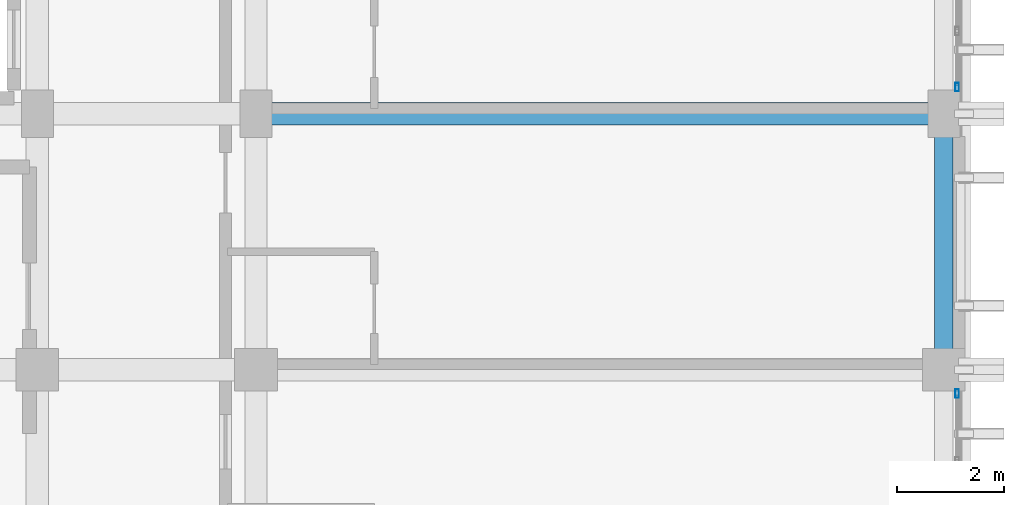
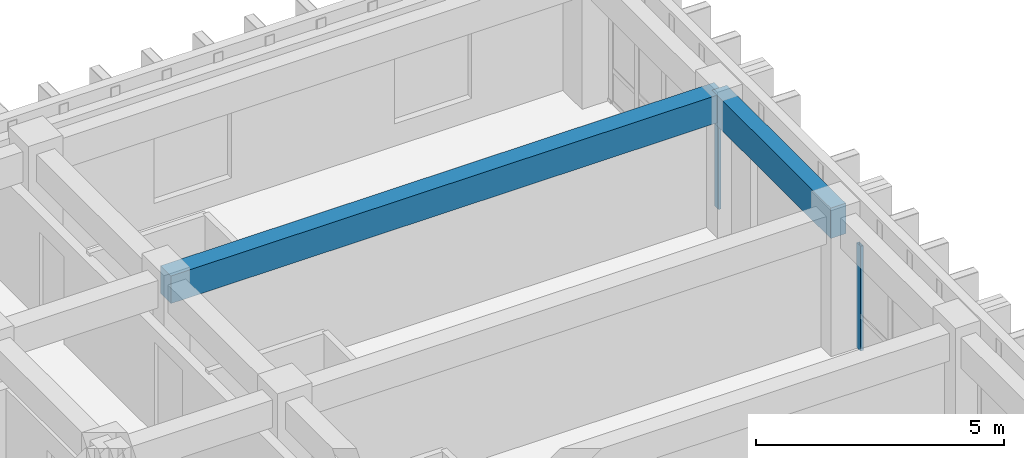
# One storey, part 52 of 82: 2 beams, 2 members, 2 elements without a shape of their own.
"""IFC4 building model written with IfcOpenShell, lengths in metres."""

from ifc_helpers import new_model, si_unit, direction, frame, origin, origin_2d, place, context, subcontext, project, spatial, rectangle, hollow_rectangle, extrude, material, layer, layer_set, material_profile, profile_set, type_object, element, aggregate, save


model = new_model("IFC4")

# Units and contexts
model_context = context("Model", 3, precision=1e-05, world=origin(), true_north=direction((0.0, 1.0)))
body_context = subcontext(model_context, "Body", "Model", "MODEL_VIEW")
ifc_project = project(units=[si_unit("LENGTHUNIT", "METRE"), si_unit("AREAUNIT", "SQUARE_METRE"), si_unit("VOLUMEUNIT", "CUBIC_METRE"), si_unit("PLANEANGLEUNIT", "RADIAN"), si_unit("MASSUNIT", "GRAM", prefix="KILO")], contexts=[model_context])

# Site, building, storey
site_placement = place(None, origin())
site = spatial("IfcSite", under=ifc_project, at=site_placement, CompositionType="ELEMENT")
building_placement = place(site_placement, origin())
building = spatial("IfcBuilding", under=site, at=building_placement, Name="Nakhvara Creek Congress Hotel", CompositionType="ELEMENT")
storey_placement = place(building_placement, frame((0.0, 0.0, 21.0)))
storey = spatial("IfcBuildingStorey", under=building, at=storey_placement, Name="L04", CompositionType="ELEMENT", Elevation=21.0)

# Beams
ifc_material_1 = material(Name="Concrete C40/50", Category="concrete")
ifc_material_profile_1 = material_profile(ifc_material_1, rectangle(XDim=0.419921875, YDim=0.679931640625, at=origin_2d()), Name="RC-BM 420x680", Category="LoadBearing")
ifc_profile_set_1 = profile_set([ifc_material_profile_1], Name="Concrete C40/50")
beam_type_1 = type_object("IfcBeamType", Name="BM-RC-420X680", PredefinedType="BEAM", material=ifc_profile_set_1)
beam_1_placement = place(storey_placement, frame((166.449951171875, 120.0, 3.0), z_axis=(1.0, 0.0, 0.0), x_axis=(0.0, 1.0, 0.0)))
element("IfcBeam", 1, at=beam_1_placement, inside=storey, type_object=beam_type_1, Name="Beam B11-L04-2057", PredefinedType="BEAM", context=body_context, shape_type="SweptSolid", body=[
    extrude(rectangle(XDim=0.419921875, YDim=0.679931640625, at=origin_2d()), origin(), (0.0, 0.0, 1.0), 12.900146484375),
])
ifc_material_profile_2 = material_profile(ifc_material_1, rectangle(XDim=0.35009765625, YDim=0.75, at=origin_2d()), Name="RC-SPANDREL 350x750", Category="LoadBearing")
ifc_profile_set_2 = profile_set([ifc_material_profile_2], Name="Concrete C40/50")
beam_type_2 = type_object("IfcBeamType", Name="BM-SPN-350X750", PredefinedType="SPANDREL", material=ifc_profile_set_2)
beam_2_placement = place(storey_placement, frame((179.35009765625, 115.199951171875, 2.965087890625), z_axis=(0.0, 1.0, 0.0), x_axis=(-1.0, 0.0, 0.0)))
element("IfcBeam", 2, at=beam_2_placement, inside=storey, type_object=beam_type_2, Name="Beam SP1-L04-2027", PredefinedType="SPANDREL", context=body_context, shape_type="SweptSolid", body=[
    extrude(rectangle(XDim=0.35009765625, YDim=0.75, at=origin_2d()), origin(), (0.0, 0.0, 1.0), 4.800048828125),
])

# Curtain wall, member
ifc_material_2 = material(Name="Bronze-anodised aluminium AW-6063-T6 and double-silver low-E glass", Category="aluminium")
ifc_layer = layer(ifc_material_2, 0.199951171875)
ifc_layer_set = layer_set([ifc_layer], Name="Bronze-anodised aluminium AW-6063-T6 and double-silver low-E glass")
curtain_wall_type = type_object("IfcCurtainWallType", Name="CW-HTL-UNIT", PredefinedType="USERDEFINED", material=ifc_layer_set)
curtain_wall_1_placement = place(storey_placement, origin())
curtain_wall_1 = element("IfcCurtainWall", 3, at=curtain_wall_1_placement, inside=storey, type_object=curtain_wall_type, Name="Curtain Wall CW198", ObjectType="UNITISED", PredefinedType="USERDEFINED")
ifc_material_3 = material(Name="Bronze-anodised aluminium AW-6063-T6", Category="aluminium")
ifc_material_profile_3 = material_profile(ifc_material_3, hollow_rectangle(XDim=0.06494140625, YDim=0.159912109375, WallThickness=0.00390625, at=origin_2d()), Name="ALU-MULL 65x160x4", Category="LoadBearing")
ifc_profile_set_3 = profile_set([ifc_material_profile_3], Name="Bronze-anodised aluminium AW-6063-T6")
member_type = type_object("IfcMemberType", Name="CW-MULL-160", PredefinedType="MULLION", material=ifc_profile_set_3)
member_1_placement = place(storey_placement, frame((179.60009765625, 114.75244140625, 0.0), z_axis=(0.0, 0.0, 1.0), x_axis=(1.0, 0.0, 0.0)))
member_1 = element("IfcMember", 4, at=member_1_placement, type_object=member_type, Name="CW198 mullion 1", PredefinedType="MULLION", context=body_context, shape_type="SweptSolid", body=[
    extrude(hollow_rectangle(XDim=0.06494140625, YDim=0.159912109375, WallThickness=0.00390625, at=origin_2d()), origin(), (0.0, 0.0, 1.0), 2.58203125),
])
aggregate(curtain_wall_1, [member_1])

curtain_wall_2_placement = place(storey_placement, origin())
curtain_wall_2 = element("IfcCurtainWall", 5, at=curtain_wall_2_placement, inside=storey, type_object=curtain_wall_type, Name="Curtain Wall CW200", ObjectType="UNITISED", PredefinedType="USERDEFINED")
member_2_placement = place(storey_placement, frame((179.60009765625, 120.49755859375, 0.0), z_axis=(0.0, 0.0, 1.0), x_axis=(1.0, 0.0, 0.0)))
member_2 = element("IfcMember", 6, at=member_2_placement, type_object=member_type, Name="CW200 mullion 5", PredefinedType="MULLION", context=body_context, shape_type="SweptSolid", body=[
    extrude(hollow_rectangle(XDim=0.06494140625, YDim=0.159912109375, WallThickness=0.00390625, at=origin_2d()), origin(), (0.0, 0.0, 1.0), 2.58203125),
])
aggregate(curtain_wall_2, [member_2])

save(model, "model.ifc")
